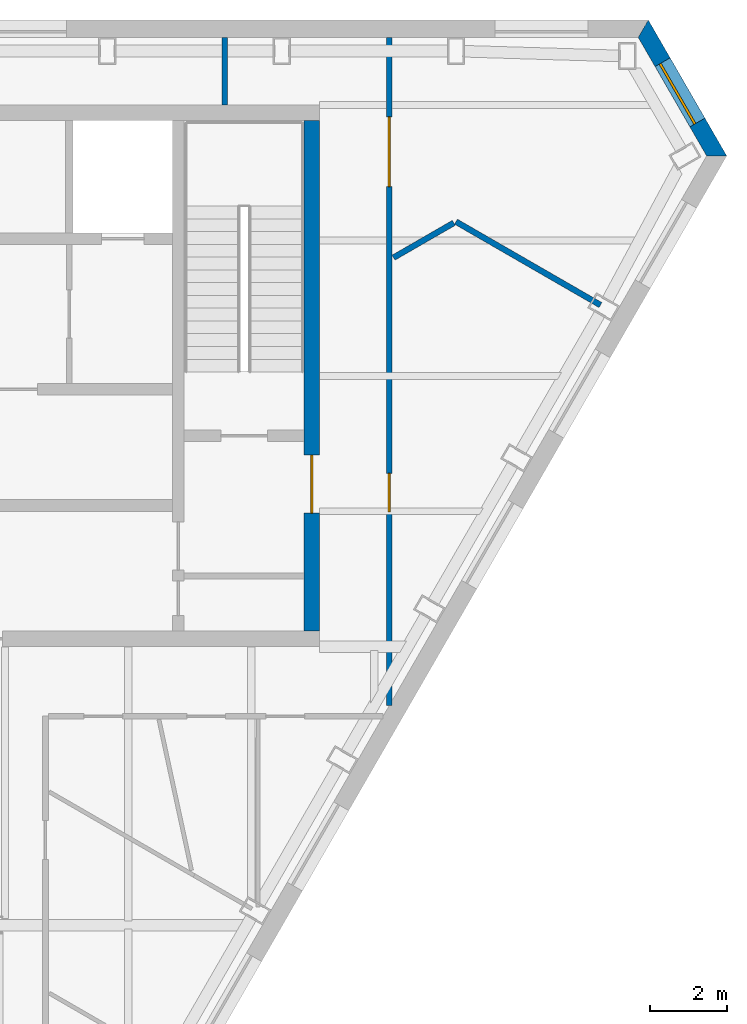
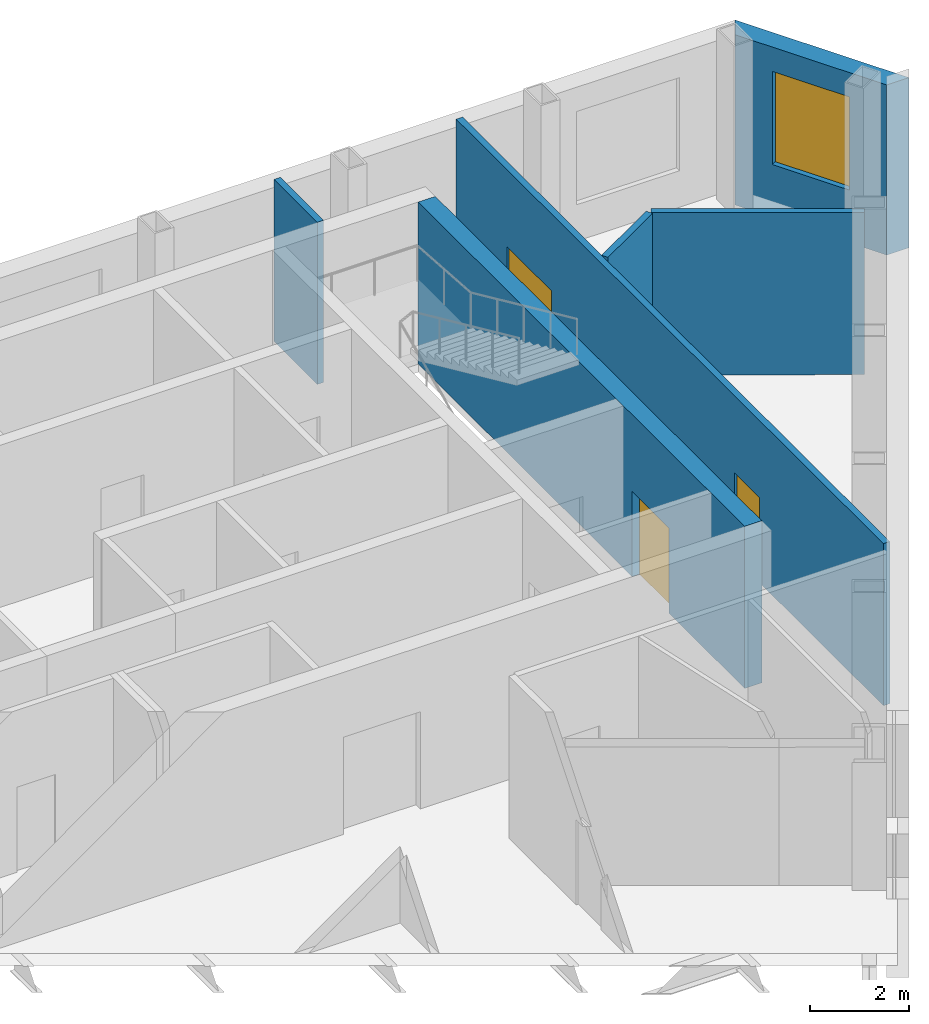
# One storey, part 7 of 10: 6 walls, 3 doors, 1 window, 4 openings.
"""IFC4 building model written with IfcOpenShell, lengths in metres."""

from ifc_helpers import new_model, si_unit, direction, frame, frame_2d, origin, place, context, subcontext, project, spatial, polyline, rectangle, outline, extrude, material, layer, layer_set, type_object, element, fill, save


model = new_model("IFC4")

# Units and contexts
model_context = context("Model", 3, precision=1e-05, world=origin(), true_north=direction((0.0, 1.0)))
body_context = subcontext(model_context, "Body", "Model", "MODEL_VIEW")
ifc_project = project(units=[si_unit("LENGTHUNIT", "METRE"), si_unit("AREAUNIT", "SQUARE_METRE"), si_unit("VOLUMEUNIT", "CUBIC_METRE"), si_unit("PLANEANGLEUNIT", "RADIAN"), si_unit("MASSUNIT", "GRAM", prefix="KILO")], contexts=[model_context])

# Site, building, storey
site_placement = place(None, origin())
site = spatial("IfcSite", under=ifc_project, at=site_placement, CompositionType="ELEMENT")
building_placement = place(site_placement, origin())
building = spatial("IfcBuilding", under=site, at=building_placement, Name="Njiva Tower", CompositionType="ELEMENT")
storey_placement = place(building_placement, frame((0.0, 0.0, 333.6)))
storey = spatial("IfcBuildingStorey", under=building, at=storey_placement, Name="L76", CompositionType="ELEMENT", Elevation=333.6)

# Wall, opening, door
ifc_material_1 = material(Name="Concrete C60/75", Category="concrete")
ifc_layer_1 = layer(ifc_material_1, 0.4)
ifc_layer_set_1 = layer_set([ifc_layer_1], Name="Concrete C60/75")
wall_type_1 = type_object("IfcWallType", Name="WT11 Core wall 400", PredefinedType="SHEAR", material=ifc_layer_set_1)
wall_1_placement = place(storey_placement, frame((14.3, 4.4, 0.0), z_axis=(0.0, 0.0, 1.0), x_axis=(0.0, 1.0, 0.0)))
wall_1 = element("IfcWall", 1, at=wall_1_placement, inside=storey, type_object=wall_type_1, Name="Core wall east", PredefinedType="SHEAR", context=body_context, shape_type="SweptSolid", body=[
    extrude(rectangle(XDim=13.2, YDim=0.4, at=frame_2d((6.6, 0.0))), origin(), (0.0, 0.0, 1.0), 4.0),
])
opening_1_placement = place(wall_1_placement, frame((3.05, 0.0, 0.0)))
opening_1 = element("IfcOpeningElement", 2, at=opening_1_placement, cuts=wall_1, Name="Opening S26-D922", PredefinedType="OPENING", context=body_context, shape_type="SweptSolid", body=[
    extrude(rectangle(XDim=1.5, YDim=2.1, at=frame_2d((0.75, 1.05))), frame((0.0, 0.21, 0.0), z_axis=(0.0, -1.0, 0.0), x_axis=(1.0, 0.0, 0.0)), (0.0, 0.0, 1.0), 0.42),
])
ifc_material_2 = material(Name="Glazed steel fire door", Category="steel")
door_type_1 = type_object("IfcDoorType", Name="D10 Exit door double 1500x2100 glazed", OperationType="DOUBLE_DOOR_SINGLE_SWING", PredefinedType="DOOR", material=ifc_material_2)
door_1_placement = place(opening_1_placement, origin())
door_1 = element("IfcDoor", 3, at=door_1_placement, inside=storey, type_object=door_type_1, Name="Stair B corridor door", OperationType="DOUBLE_DOOR_SINGLE_SWING", OverallHeight=2.1, OverallWidth=1.5, PredefinedType="DOOR", context=body_context, shape_type="SweptSolid", body=[
    extrude(rectangle(XDim=1.5, YDim=2.1, at=frame_2d((0.75, 1.05))), frame((0.0, 0.025, 0.0), z_axis=(0.0, -1.0, 0.0), x_axis=(1.0, 0.0, 0.0)), (0.0, 0.0, 1.0), 0.05),
])
fill(opening_1, door_1)

# Wall
ifc_material_3 = material(Name="Gypsum board on steel studs", Category="gypsum")
ifc_layer_2 = layer(ifc_material_3, 0.15)
ifc_layer_set_2 = layer_set([ifc_layer_2], Name="Gypsum board on steel studs")
wall_type_2 = type_object("IfcWallType", Name="WT21 Compartment wall 150", PredefinedType="PARTITIONING", material=ifc_layer_set_2)
wall_2_placement = place(storey_placement, frame((12.05, 18.0, 0.0), z_axis=(0.0, 0.0, 1.0), x_axis=(0.0, 1.0, 0.0)))
element("IfcWall", 4, at=wall_2_placement, inside=storey, type_object=wall_type_2, Name="Partition S26-P023", PredefinedType="PARTITIONING", context=body_context, shape_type="SweptSolid", body=[
    extrude(rectangle(XDim=1.75, YDim=0.15, at=frame_2d((0.875, 0.0))), origin(), (0.0, 0.0, 1.0), 4.0),
])

# Wall, openings, doors
wall_3_placement = place(storey_placement, frame((16.3, 2.472, 0.0), z_axis=(0.0, 0.0, 1.0), x_axis=(0.0, 1.0, 0.0)))
wall_3 = element("IfcWall", 5, at=wall_3_placement, inside=storey, type_object=wall_type_2, Name="Partition S26-P025", PredefinedType="PARTITIONING", context=body_context, shape_type="SweptSolid", body=[
    extrude(rectangle(XDim=17.276, YDim=0.15, at=frame_2d((8.638, 0.0))), origin(), (0.0, 0.0, 1.0), 4.0),
])
opening_2_placement = place(wall_3_placement, frame((5.01, 0.0, 0.0)))
opening_2 = element("IfcOpeningElement", 6, at=opening_2_placement, cuts=wall_3, Name="Opening S26-D018", PredefinedType="OPENING", context=body_context, shape_type="SweptSolid", body=[
    extrude(rectangle(XDim=1.0, YDim=2.1, at=frame_2d((0.5, 1.05))), frame((0.0, 0.085, 0.0), z_axis=(0.0, -1.0, 0.0), x_axis=(1.0, 0.0, 0.0)), (0.0, 0.0, 1.0), 0.17),
])
opening_3_placement = place(wall_3_placement, frame((13.423, 0.0, 0.0)))
opening_3 = element("IfcOpeningElement", 7, at=opening_3_placement, cuts=wall_3, Name="Opening S26-D019", PredefinedType="OPENING", context=body_context, shape_type="SweptSolid", body=[
    extrude(rectangle(XDim=1.8, YDim=2.1, at=frame_2d((0.9, 1.05))), frame((0.0, 0.085, 0.0), z_axis=(0.0, -1.0, 0.0), x_axis=(1.0, 0.0, 0.0)), (0.0, 0.0, 1.0), 0.17),
])
ifc_material_4 = material(Name="Steel fire door set", Category="steel")
door_type_2 = type_object("IfcDoorType", Name="D37 Fire door 1000x2100", OperationType="SINGLE_SWING_LEFT", PredefinedType="DOOR", material=ifc_material_4)
door_2_placement = place(opening_2_placement, origin())
door_2 = element("IfcDoor", 8, at=door_2_placement, inside=storey, type_object=door_type_2, Name="Door S26-D018", OperationType="SINGLE_SWING_LEFT", OverallHeight=2.1, OverallWidth=1.0, PredefinedType="DOOR", context=body_context, shape_type="SweptSolid", body=[
    extrude(rectangle(XDim=1.0, YDim=2.1, at=frame_2d((0.5, 1.05))), frame((0.0, 0.025, 0.0), z_axis=(0.0, -1.0, 0.0), x_axis=(1.0, 0.0, 0.0)), (0.0, 0.0, 1.0), 0.05),
])
fill(opening_2, door_2)
door_type_3 = type_object("IfcDoorType", Name="D38 Fire door 1800x2100", OperationType="DOUBLE_DOOR_SINGLE_SWING", PredefinedType="DOOR", material=ifc_material_4)
door_3_placement = place(opening_3_placement, origin())
door_3 = element("IfcDoor", 9, at=door_3_placement, inside=storey, type_object=door_type_3, Name="Door S26-D019", OperationType="DOUBLE_DOOR_SINGLE_SWING", OverallHeight=2.1, OverallWidth=1.8, PredefinedType="DOOR", context=body_context, shape_type="SweptSolid", body=[
    extrude(rectangle(XDim=1.8, YDim=2.1, at=frame_2d((0.9, 1.05))), frame((0.0, 0.025, 0.0), z_axis=(0.0, -1.0, 0.0), x_axis=(1.0, 0.0, 0.0)), (0.0, 0.0, 1.0), 0.05),
])
fill(opening_3, door_3)

# Walls
wall_4_placement = place(storey_placement, frame((16.412, 14.058, 0.0), z_axis=(0.0, 0.0, 1.0), x_axis=(0.866250415226, 0.499610066072, 0.0)))
element("IfcWall", 10, at=wall_4_placement, inside=storey, type_object=wall_type_2, Name="Partition S26-P026", PredefinedType="PARTITIONING", context=body_context, shape_type="SweptSolid", body=[
    extrude(rectangle(XDim=1.7974, YDim=0.15, at=frame_2d((0.8987, 0.0))), origin(), (0.0, 0.0, 1.0), 4.0),
])
wall_5_placement = place(storey_placement, frame((18.026, 14.987, 0.0), z_axis=(0.0, 0.0, 1.0), x_axis=(0.866224183696, -0.499655544932, 0.0)))
element("IfcWall", 11, at=wall_5_placement, inside=storey, type_object=wall_type_2, Name="Partition S26-P027", PredefinedType="PARTITIONING", context=body_context, shape_type="SweptSolid", body=[
    extrude(rectangle(XDim=4.313, YDim=0.15, at=frame_2d((2.1565, 0.0))), origin(), (0.0, 0.0, 1.0), 4.0),
])

# Wall, opening, window
ifc_material_5 = material(Name="Brick masonry, buff", Category="masonry")
ifc_layer_3 = layer(ifc_material_5, 0.45)
ifc_layer_set_3 = layer_set([ifc_layer_3], Name="Brick masonry, buff")
wall_type_3 = type_object("IfcWallType", Name="WT94 Brick pier and spandrel wall 450, buff", PredefinedType="SOLIDWALL", material=ifc_layer_set_3)
wall_6_placement = place(storey_placement, frame((24.7689, 16.6861, -0.4), z_axis=(0.0, 0.0, 1.0), x_axis=(-0.499996551991, 0.866027394484, 0.0)))
wall_6 = element("IfcWall", 12, at=wall_6_placement, inside=storey, type_object=wall_type_3, Name="Facade wall NE", PredefinedType="SOLIDWALL", context=body_context, shape_type="SweptSolid", body=[
    extrude(outline(polyline([(-0.1299, -0.225), (3.9301, -0.225), (3.6703, 0.225), (0.1299, 0.225), (-0.1299, -0.225)])), origin(), (0.0, 0.0, 1.0), 4.2),
])
opening_4_placement = place(wall_6_placement, frame((1.0001, 0.0, 1.3)))
opening_4 = element("IfcOpeningElement", 13, at=opening_4_placement, cuts=wall_6, Name="Opening S26-W26", PredefinedType="OPENING", context=body_context, shape_type="SweptSolid", body=[
    extrude(rectangle(XDim=1.8, YDim=2.3, at=frame_2d((0.9, 1.15))), frame((0.0, 0.235, 0.0), z_axis=(0.0, -1.0, 0.0), x_axis=(1.0, 0.0, 0.0)), (0.0, 0.0, 1.0), 0.47),
])
ifc_material_6 = material(Name="Clear glazing in aluminium frame", Category="aluminium")
window_type = type_object("IfcWindowType", Name="W95 Deep-set window 1800x2300", PartitioningType="SINGLE_PANEL", PredefinedType="WINDOW", material=ifc_material_6)
window_placement = place(opening_4_placement, origin())
window = element("IfcWindow", 14, at=window_placement, inside=storey, type_object=window_type, Name="Window", OverallHeight=2.3, OverallWidth=1.8, PartitioningType="SINGLE_PANEL", PredefinedType="WINDOW", context=body_context, shape_type="SweptSolid", body=[
    extrude(rectangle(XDim=1.8, YDim=2.3, at=frame_2d((0.9, 1.15))), frame((0.0, 0.105, 0.0), z_axis=(0.0, -1.0, 0.0), x_axis=(1.0, 0.0, 0.0)), (0.0, 0.0, 1.0), 0.06),
])
fill(opening_4, window)

save(model, "model.ifc")
